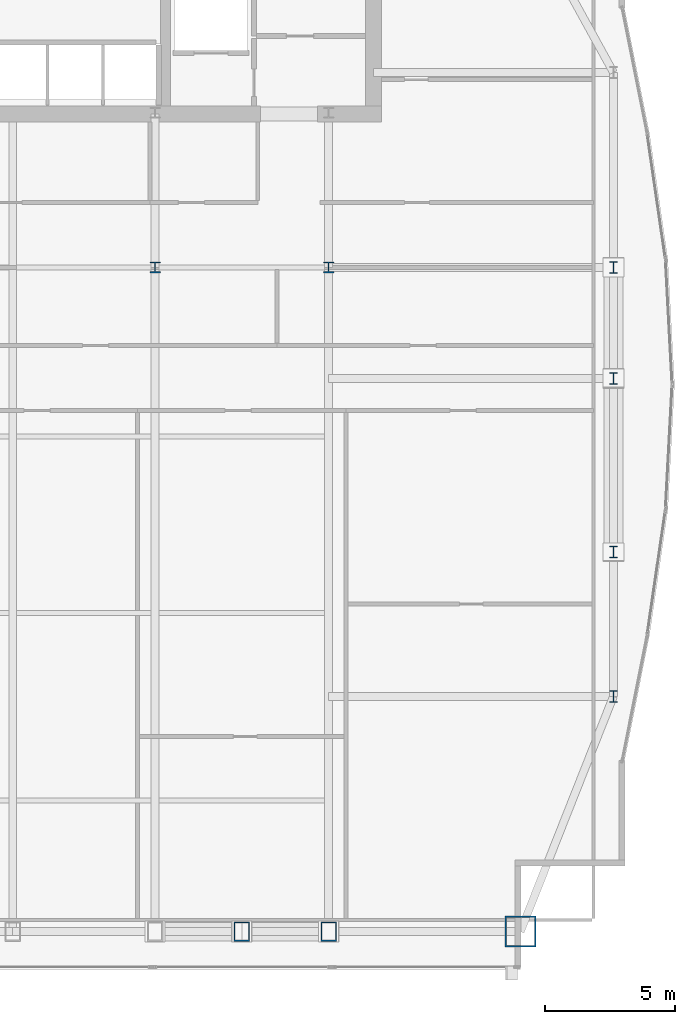
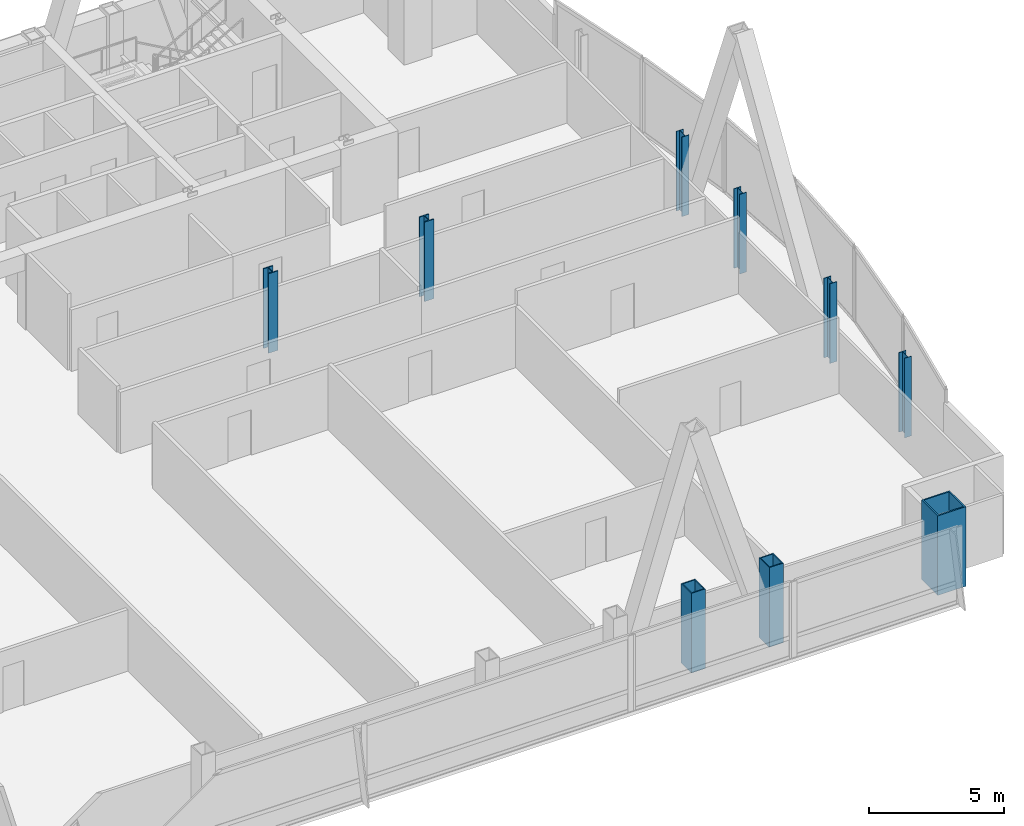
# One storey, part 2 of 32: 9 columns.
"""IFC4 building model written with IfcOpenShell, lengths in metres."""

from ifc_helpers import new_model, si_unit, direction, frame, origin, origin_2d, place, context, subcontext, project, spatial, hollow_rectangle, i_section, extrude, material, material_profile, profile_set, type_object, element, save


model = new_model("IFC4")

# Units and contexts
model_context = context("Model", 3, precision=1e-05, world=origin(), true_north=direction((0.0, 1.0)))
body_context = subcontext(model_context, "Body", "Model", "MODEL_VIEW")
ifc_project = project(units=[si_unit("LENGTHUNIT", "METRE"), si_unit("AREAUNIT", "SQUARE_METRE"), si_unit("VOLUMEUNIT", "CUBIC_METRE"), si_unit("PLANEANGLEUNIT", "RADIAN"), si_unit("MASSUNIT", "GRAM", prefix="KILO")], contexts=[model_context])

# Site, building, storey
site_placement = place(None, origin())
site = spatial("IfcSite", under=ifc_project, at=site_placement, CompositionType="ELEMENT")
building_placement = place(site_placement, origin())
building = spatial("IfcBuilding", under=site, at=building_placement, Name="Khoronbel Lancet Exchange", CompositionType="ELEMENT")
storey_placement = place(building_placement, frame((0.0, 0.0, 221.0)))
storey = spatial("IfcBuildingStorey", under=building, at=storey_placement, Name="L56", CompositionType="ELEMENT", Elevation=221.0)

# Columns
ifc_material_1 = material(Name="Steel S460", Category="steel")
ifc_material_profile_1 = material_profile(ifc_material_1, hollow_rectangle(XDim=0.60009765625, YDim=0.75, WallThickness=0.044921875, at=origin_2d()), Name="BOX 750x600x45")
ifc_profile_set_1 = profile_set([ifc_material_profile_1], Name="Steel S460")
column_type_1 = type_object("IfcColumnType", Name="COL-EC3", PredefinedType="COLUMN", material=ifc_profile_set_1)
for number, where, z_axis, x_axis, name in (
    (1, (51.33740234375, 10.14990234375, 0.0), (0.0, 0.0, 1.0), (1.0, 0.0, 0.0), "Structural column SC-EM L56"),
    (2, (54.675048828125, 10.14990234375, 0.0), (0.0, 0.0, 1.0), (1.0, 0.0, 0.0), "Structural column SC-E2 L56"),
):
    element("IfcColumn", number, at=place(storey_placement, frame(where, z_axis=z_axis, x_axis=x_axis)), inside=storey, type_object=column_type_1, Name=name, PredefinedType="COLUMN", context=body_context, shape_type="SweptSolid", body=[
        extrude(hollow_rectangle(XDim=0.60009765625, YDim=0.75, WallThickness=0.044921875, at=origin_2d()), origin(), (0.0, 0.0, 1.0), 3.60009765625),
    ])
ifc_material_2 = material(Name="Steel S355", Category="steel")
ifc_material_profile_2 = material_profile(ifc_material_2, i_section(OverallWidth=0.406005859375, OverallDepth=0.416015625, WebThickness=0.02978515625, FlangeThickness=0.048095703125, at=origin_2d()), Name="HD 400x382")
ifc_profile_set_2 = profile_set([ifc_material_profile_2], Name="Steel S355")
column_type_2 = type_object("IfcColumnType", Name="COL-IC3", PredefinedType="COLUMN", material=ifc_profile_set_2)
for number, where, z_axis, x_axis, name in (
    (3, (48.0, 35.699951171875, 0.0), (0.0, 0.0, 1.0), (1.0, 0.0, 0.0), "Spine gravity column TC3 L56"),
    (4, (54.675048828125, 35.699951171875, 0.0), (0.0, 0.0, 1.0), (1.0, 0.0, 0.0), "Spine gravity column TC4 L56"),
):
    element("IfcColumn", number, at=place(storey_placement, frame(where, z_axis=z_axis, x_axis=x_axis)), inside=storey, type_object=column_type_2, Name=name, PredefinedType="COLUMN", context=body_context, shape_type="SweptSolid", body=[
        extrude(i_section(OverallWidth=0.406005859375, OverallDepth=0.416015625, WebThickness=0.02978515625, FlangeThickness=0.048095703125, at=origin_2d()), origin(), (0.0, 0.0, 1.0), 3.60009765625),
    ])
ifc_material_profile_3 = material_profile(ifc_material_2, i_section(OverallWidth=0.300048828125, OverallDepth=0.449951171875, WebThickness=0.013916015625, FlangeThickness=0.02587890625, at=origin_2d()), Name="HEB 450")
ifc_profile_set_3 = profile_set([ifc_material_profile_3], Name="Steel S355")
column_type_3 = type_object("IfcColumnType", Name="COL-LC2", PredefinedType="COLUMN", material=ifc_profile_set_3)
for number, where, z_axis, x_axis, name in (
    (5, (65.6298828125, 19.199951171875, 0.0), (0.0, 0.0, 1.0), (1.0, 0.0, 0.0), "Structural column EC-1 L56"),
    (6, (65.6298828125, 24.75, 0.0), (0.0, 0.0, 1.0), (1.0, 0.0, 0.0), "Structural column EC-2 L56"),
    (7, (65.6298828125, 31.425048828125, 0.0), (0.0, 0.0, 1.0), (1.0, 0.0, 0.0), "Structural column EC-M L56"),
    (8, (65.6298828125, 35.699951171875, 0.0), (0.0, 0.0, 1.0), (1.0, 0.0, 0.0), "Structural column EC-3 L56"),
):
    element("IfcColumn", number, at=place(storey_placement, frame(where, z_axis=z_axis, x_axis=x_axis)), inside=storey, type_object=column_type_3, Name=name, PredefinedType="COLUMN", context=body_context, shape_type="SweptSolid", body=[
        extrude(i_section(OverallWidth=0.300048828125, OverallDepth=0.449951171875, WebThickness=0.013916015625, FlangeThickness=0.02587890625, at=origin_2d()), origin(), (0.0, 0.0, 1.0), 3.60009765625),
    ])
ifc_material_profile_4 = material_profile(ifc_material_1, hollow_rectangle(XDim=1.199951171875, YDim=1.199951171875, WallThickness=0.06005859375, at=origin_2d()), Name="BOX 1200x1200x60")
ifc_profile_set_4 = profile_set([ifc_material_profile_4], Name="Steel S460")
column_type_4 = type_object("IfcColumnType", Name="COL-MC5", PredefinedType="COLUMN", material=ifc_profile_set_4)
column_placement = place(storey_placement, frame((62.050048828125, 10.14990234375, 0.0), z_axis=(0.0, 0.0, 1.0), x_axis=(1.0, 0.0, 0.0)))
element("IfcColumn", 9, at=column_placement, inside=storey, type_object=column_type_4, Name="Structural column MC-SE L56", PredefinedType="COLUMN", context=body_context, shape_type="SweptSolid", body=[
    extrude(hollow_rectangle(XDim=1.199951171875, YDim=1.199951171875, WallThickness=0.06005859375, at=origin_2d()), origin(), (0.0, 0.0, 1.0), 3.60009765625),
])

save(model, "model.ifc")
